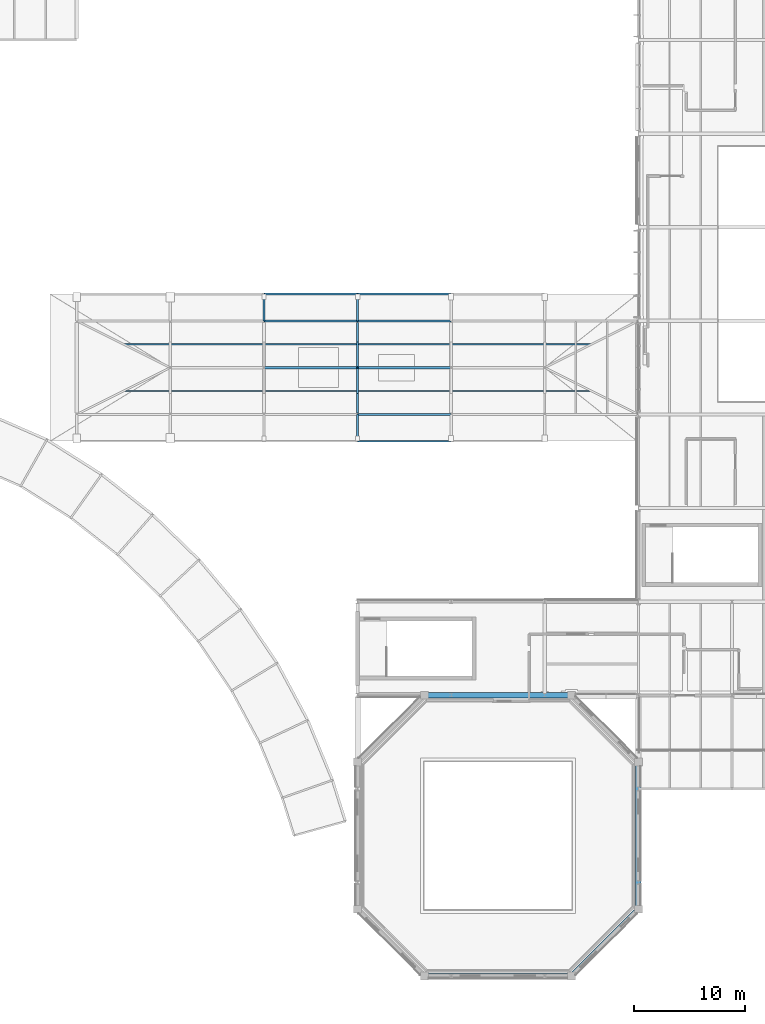
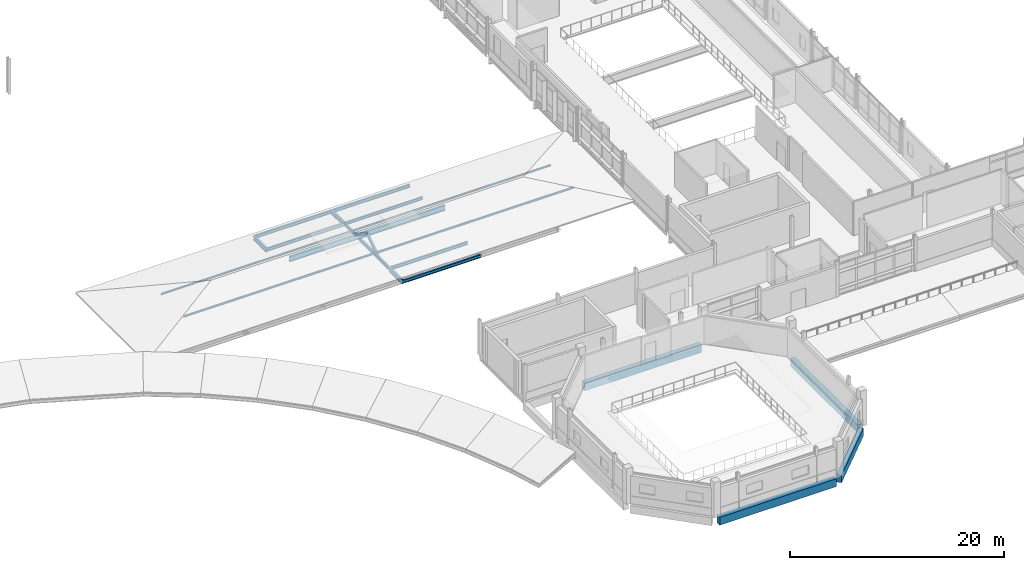
# One storey, part 15 of 151: 16 beams, 4 members.
"""IFC4 building model written with IfcOpenShell, lengths in metres."""

import ifcopenshell
import ifcopenshell.guid

model = None  # the IFC model being written
_history = None  # IfcOwnerHistory: only IFC2X3 demands one
_inside = {}  # id of a spatial element -> (the spatial element, [elements in it])
_under = {}  # id of a project, library or spatial element -> (it, [spatial elements below it])
_declared = {}  # id of a project -> (the project, [libraries it declares])
_typed = {}  # id of a type object -> (the type object, [elements of that type])
_made_of = {}  # id of a material, layer set ... -> (it, [elements and type objects made of it])


def new_model(schema):
    """Start an empty IFC model of exactly this schema.

    Asked for "IFC4X3", IfcOpenShell would pick the latest addendum, in which some entities
    have other attributes; the version numbers below select the first issue.
    IFC2X3 requires an IfcOwnerHistory on every rooted entity: one is made here for all.
    """
    global model, _history
    if schema == "IFC4X3":
        model = ifcopenshell.file(schema_version=(4, 3, 0, 0))
    else:
        model = ifcopenshell.file(schema=schema)
    _inside.clear()
    _under.clear()
    _declared.clear()
    _typed.clear()
    _made_of.clear()
    _history = None
    if model.schema == "IFC2X3":
        org = make("IfcOrganization", Name="unknown")
        user = make(
            "IfcPersonAndOrganization",
            ThePerson=make("IfcPerson", FamilyName="unknown"),
            TheOrganization=org,
        )
        app = make(
            "IfcApplication",
            ApplicationDeveloper=org,
            Version="unknown",
            ApplicationFullName="unknown",
            ApplicationIdentifier="unknown",
        )
        _history = make(
            "IfcOwnerHistory",
            OwningUser=user,
            OwningApplication=app,
            ChangeAction="ADDED",
            CreationDate=0,
        )
    return model


def make(cls, **values):
    """One entity of the class cls with the attributes given. An attribute that is None is left unset."""
    return model.create_entity(
        cls, **{name: value for name, value in values.items() if value is not None}
    )


def rooted(cls, **values):
    """An entity with a GlobalId (a new one), such as an element, a storey or a relation."""
    return make(cls, GlobalId=ifcopenshell.guid.new(), OwnerHistory=_history, **values)


def si_unit(unit_type, name, prefix=None):
    """IfcSIUnit, for example si_unit("LENGTHUNIT", "METRE", prefix="MILLI")."""
    return make("IfcSIUnit", UnitType=unit_type, Prefix=prefix, Name=name)


def assignment(units):
    """IfcUnitAssignment: the units of a project."""
    return None if units is None else make("IfcUnitAssignment", Units=units)


def point(xyz):
    """IfcCartesianPoint."""
    return None if xyz is None else make("IfcCartesianPoint", Coordinates=xyz)


def direction(xyz):
    """IfcDirection."""
    return None if xyz is None else make("IfcDirection", DirectionRatios=xyz)


def frame(location, z_axis=None, x_axis=None):
    """IfcAxis2Placement3D, a coordinate frame: its origin and axes. An axis left out is left unset."""
    return make(
        "IfcAxis2Placement3D",
        Location=point(location),
        Axis=direction(z_axis),
        RefDirection=direction(x_axis),
    )


def frame_2d(location, x_axis=None):
    """IfcAxis2Placement2D, a coordinate frame in the plane: its origin and x axis."""
    return make(
        "IfcAxis2Placement2D", Location=point(location), RefDirection=direction(x_axis)
    )


def origin():
    """The frame at (0, 0, 0) with its axes left unset."""
    return frame((0.0, 0.0, 0.0))


def origin_2d():
    """The frame at (0, 0) in the plane with its x axis left unset."""
    return frame_2d((0.0, 0.0))


def place(relative_to, where):
    """IfcLocalPlacement: puts the frame where relative to a parent placement (None: the world)."""
    return make(
        "IfcLocalPlacement", PlacementRelTo=relative_to, RelativePlacement=where
    )


def context(
    kind, dimensions, precision=None, world=None, true_north=None, identifier=None
):
    """IfcGeometricRepresentationContext, for example the 3D "Model" context."""
    return make(
        "IfcGeometricRepresentationContext",
        ContextIdentifier=identifier,
        ContextType=kind,
        CoordinateSpaceDimension=dimensions,
        Precision=precision,
        WorldCoordinateSystem=world,
        TrueNorth=true_north,
    )


def subcontext(parent, identifier, kind, view, scale=None):
    """IfcGeometricRepresentationSubContext, for example "Body" below "Model"."""
    return make(
        "IfcGeometricRepresentationSubContext",
        ContextIdentifier=identifier,
        ContextType=kind,
        ParentContext=parent,
        TargetScale=scale,
        TargetView=view,
    )


def project(units=None, contexts=None):
    """IfcProject with its units and contexts."""
    return rooted(
        "IfcProject",
        Name="project",
        RepresentationContexts=contexts,
        UnitsInContext=assignment(units),
    )


def spatial(cls, under=None, at=None, **own):
    """A site, building, storey or space (cls), placed at a placement, below another one or the project."""
    s = rooted(cls, ObjectPlacement=at, **own)
    if under is not None:
        _under.setdefault(under.id(), (under, []))[1].append(s)
    return s


def profile(cls, at=None, kind="AREA", **sizes):
    """A parametric profile (cls). Its sizes go by their IFC names, for example OverallWidth=200.0."""
    return make(cls, ProfileType=kind, Position=at, **sizes)


def rectangle(**sizes):
    """IfcRectangleProfileDef."""
    return profile("IfcRectangleProfileDef", **sizes)


def hollow_rectangle(**sizes):
    """IfcRectangleHollowProfileDef."""
    return profile("IfcRectangleHollowProfileDef", **sizes)


def i_section(**sizes):
    """IfcIShapeProfileDef."""
    return profile("IfcIShapeProfileDef", **sizes)


def extrude(swept, where, along, depth):
    """IfcExtrudedAreaSolid: the profile swept, set in the frame where, extruded along a direction by depth."""
    return make(
        "IfcExtrudedAreaSolid",
        SweptArea=swept,
        Position=where,
        ExtrudedDirection=direction(along),
        Depth=depth,
    )


def shape(context_of_items, identifier, shape_type, items):
    """IfcShapeRepresentation: the items that make up one representation, for example the "Body"."""
    return make(
        "IfcShapeRepresentation",
        ContextOfItems=context_of_items,
        RepresentationIdentifier=identifier,
        RepresentationType=shape_type,
        Items=items,
    )


def material(Name=None, Category=None):
    """IfcMaterial."""
    return make("IfcMaterial", Name=Name, Category=Category)


def material_profile(
    of_material, cross_section, Name=None, Category=None, Priority=None
):
    """IfcMaterialProfile: a cross section and its material."""
    return make(
        "IfcMaterialProfile",
        Name=Name,
        Material=of_material,
        Profile=cross_section,
        Priority=Priority,
        Category=Category,
    )


def profile_set(profiles, Name=None, composite=None):
    """IfcMaterialProfileSet."""
    return make(
        "IfcMaterialProfileSet",
        Name=Name,
        MaterialProfiles=profiles,
        CompositeProfile=composite,
    )


def made_of(thing, what):
    """Note that an element or type object is made of a material, layer set ...; save() writes the relation."""
    if what is not None:
        _made_of.setdefault(what.id(), (what, []))[1].append(thing)
    return thing


def type_object(cls, material=None, **own):
    """A type object (cls), such as IfcWallType, which elements share."""
    return made_of(rooted(cls, **own), material)


def element(
    cls,
    number,
    at=None,
    inside=None,
    cuts=None,
    type_object=None,
    material=None,
    context=None,
    identifier="Body",
    shape_type=None,
    held_by="IfcProductDefinitionShape",
    body=None,
    shapes=None,
    **own,
):
    """One element of the class cls, such as IfcWall. Its Tag is "e" and its number.

    at: its placement. inside: the storey or other place that contains it. cuts: it is an
    opening in that element (IfcRelVoidsElement). A single representation is given by context,
    identifier, shape_type and body (its items); several are given by shapes. held_by: the class
    of the entity that holds the representations. save() writes the other relations.
    """
    e = rooted(cls, Tag="e%d" % number, ObjectPlacement=at, **own)
    if body is not None:
        shapes = [shape(context, identifier, shape_type, body)]
    if shapes is not None:
        e.Representation = make(held_by, Representations=shapes)
    if inside is not None:
        _inside.setdefault(inside.id(), (inside, []))[1].append(e)
    if cuts is not None:
        rooted(
            "IfcRelVoidsElement", RelatingBuildingElement=cuts, RelatedOpeningElement=e
        )
    if type_object is not None:
        _typed.setdefault(type_object.id(), (type_object, []))[1].append(e)
    return made_of(e, material)


def aggregate(whole, parts):
    """IfcRelAggregates: a whole, such as a stair, and the parts it consists of."""
    return rooted("IfcRelAggregates", RelatingObject=whole, RelatedObjects=parts)


def save(model, path):
    """Write the relations noted so far, then the file.

    IfcRelAggregates (storeys below a building ...), IfcRelContainedInSpatialStructure (elements
    in a storey), IfcRelDefinesByType, IfcRelAssociatesMaterial and IfcRelDeclares: one each for
    every whole, place, type object, material and project.
    """
    for whole, parts in _under.values():
        aggregate(whole, parts)
    for where, things in _inside.values():
        rooted(
            "IfcRelContainedInSpatialStructure",
            RelatedElements=things,
            RelatingStructure=where,
        )
    for kind, things in _typed.values():
        rooted("IfcRelDefinesByType", RelatedObjects=things, RelatingType=kind)
    for what, things in _made_of.values():
        rooted("IfcRelAssociatesMaterial", RelatedObjects=things, RelatingMaterial=what)
    for by, libraries in _declared.values():
        rooted("IfcRelDeclares", RelatingContext=by, RelatedDefinitions=libraries)
    model.write(path)


model = new_model("IFC4")

# Units and contexts
model_context = context("Model", 3, precision=1e-05, world=origin(), true_north=direction((0.0, 1.0)))
body_context = subcontext(model_context, "Body", "Model", "MODEL_VIEW")
ifc_project = project(units=[si_unit("LENGTHUNIT", "METRE"), si_unit("AREAUNIT", "SQUARE_METRE"), si_unit("VOLUMEUNIT", "CUBIC_METRE"), si_unit("PLANEANGLEUNIT", "RADIAN"), si_unit("MASSUNIT", "GRAM", prefix="KILO")], contexts=[model_context])

# Site, building, storey
site_placement = place(None, origin())
site = spatial("IfcSite", under=ifc_project, at=site_placement, CompositionType="ELEMENT")
building_placement = place(site_placement, origin())
building = spatial("IfcBuilding", under=site, at=building_placement, Name="Mersafa Astral City Hall", CompositionType="ELEMENT")
storey_placement = place(building_placement, frame((0.0, 0.0, 9.89990234375)))
storey = spatial("IfcBuildingStorey", under=building, at=storey_placement, Name="L02", CompositionType="ELEMENT", Elevation=9.89990234375)

# Beams
ifc_material_1 = material(Name="Concrete C40/50", Category="concrete")
ifc_material_profile_1 = material_profile(ifc_material_1, rectangle(XDim=0.5, YDim=0.89990234375, at=origin_2d()), Name="RC 500x900")
ifc_profile_set_1 = profile_set([ifc_material_profile_1], Name="Concrete C40/50")
beam_type_1 = type_object("IfcBeamType", Name="STR-BM-DRUM-RC500X900", PredefinedType="BEAM", material=ifc_profile_set_1)
beam_1_placement = place(storey_placement, frame((73.510009765625, 0.0, -0.64990234375), z_axis=(1.0, 0.0, 0.0), x_axis=(0.0, 1.0, 0.0)))
element("IfcBeam", 1, at=beam_1_placement, inside=storey, type_object=beam_type_1, Name="L02 Chamber drum ring beam 1", PredefinedType="BEAM", context=body_context, shape_type="SweptSolid", body=[
    extrude(rectangle(XDim=0.5, YDim=0.89990234375, at=origin_2d()), origin(), (0.0, 0.0, 1.0), 12.580078125),
])
beam_2_placement = place(storey_placement, frame((86.619140625, 0.21923828125, -0.64990234375), z_axis=(0.707122301018, 0.707091261015, 0.0), x_axis=(-0.707091261015, 0.707122301018, 0.0)))
element("IfcBeam", 2, at=beam_2_placement, inside=storey, type_object=beam_type_1, Name="L02 Chamber drum ring beam 2", PredefinedType="BEAM", context=body_context, shape_type="SweptSolid", body=[
    extrude(rectangle(XDim=0.5, YDim=0.89990234375, at=origin_2d()), origin(), (0.0, 0.0, 1.0), 7.865234375),
])
beam_3_placement = place(storey_placement, frame((92.39990234375, 6.31005859375, -0.64990234375), z_axis=(0.0, 1.0, 0.0), x_axis=(-1.0, 0.0, 0.0)))
element("IfcBeam", 3, at=beam_3_placement, inside=storey, type_object=beam_type_1, Name="L02 Chamber drum ring beam 3", PredefinedType="BEAM", context=body_context, shape_type="SweptSolid", body=[
    extrude(rectangle(XDim=0.5, YDim=0.89990234375, at=origin_2d()), origin(), (0.0, 0.0, 1.0), 12.579833984375),
])
beam_4_placement = place(storey_placement, frame((86.090087890625, 25.199951171875, -0.64990234375), z_axis=(-1.0, 0.0, 0.0), x_axis=(0.0, -1.0, 0.0)))
element("IfcBeam", 4, at=beam_4_placement, inside=storey, type_object=beam_type_1, Name="L02 Chamber drum ring beam 5", PredefinedType="BEAM", context=body_context, shape_type="SweptSolid", body=[
    extrude(rectangle(XDim=0.5, YDim=0.89990234375, at=origin_2d()), origin(), (0.0, 0.0, 1.0), 12.580078125),
])
ifc_material_2 = material(Name="Steel S355", Category="steel")
ifc_material_profile_2 = material_profile(ifc_material_2, i_section(OverallWidth=0.199951171875, OverallDepth=0.5, WebThickness=0.01025390625, FlangeThickness=0.01611328125, FilletRadius=0.02099609375, at=origin_2d()), Name="IPE 500")
ifc_profile_set_2 = profile_set([ifc_material_profile_2], Name="Steel S355")
beam_type_2 = type_object("IfcBeamType", Name="STR-BM-IPE500", PredefinedType="BEAM", material=ifc_profile_set_2)
for number, where, z_axis, x_axis, name in (
    (5, (58.800048828125, 58.800048828125, -0.409912109375), (0.0, 1.0, 0.0), (-1.0, 0.0, 0.0), "L02 Cantilevered eave beam ROOF-T3-V4S N-7"),
    (6, (67.199951171875, 50.39990234375, -0.409912109375), (0.0, -1.0, 0.0), (1.0, 0.0, 0.0), "L02 Cantilevered eave beam ROOF-T3-V4S S-8"),
    (7, (67.199951171875, 58.800048828125, -0.409912109375), (0.0, 1.0, 0.0), (-1.0, 0.0, 0.0), "L02 Cantilevered eave beam ROOF-T3-V4S N-8"),
):
    element("IfcBeam", number, at=place(storey_placement, frame(where, z_axis=z_axis, x_axis=x_axis)), inside=storey, type_object=beam_type_2, Name=name, PredefinedType="BEAM", context=body_context, shape_type="SweptSolid", body=[
        extrude(i_section(OverallWidth=0.199951171875, OverallDepth=0.5, WebThickness=0.01025390625, FlangeThickness=0.01611328125, FilletRadius=0.02099609375, at=origin_2d()), origin(), (0.0, 0.0, 1.0), 2.39990234375),
    ])
ifc_material_profile_3 = material_profile(ifc_material_2, i_section(OverallWidth=0.219970703125, OverallDepth=0.60009765625, WebThickness=0.011962890625, FlangeThickness=0.01904296875, FilletRadius=0.02392578125, at=origin_2d()), Name="IPE 600")
ifc_profile_set_3 = profile_set([ifc_material_profile_3], Name="Steel S355")
beam_type_3 = type_object("IfcBeamType", Name="STR-BM-IPE600", PredefinedType="BEAM", material=ifc_profile_set_3)
beam_5_placement = place(storey_placement, frame((58.800048828125, 54.60009765625, 1.114501953125), z_axis=(1.0, 0.0, 0.0), x_axis=(0.0, 1.0, 0.0)))
element("IfcBeam", 8, at=beam_5_placement, inside=storey, type_object=beam_type_3, Name="L02 Hipped roof ridge beam ROOF-T3-V4S-2", PredefinedType="BEAM", context=body_context, shape_type="SweptSolid", body=[
    extrude(i_section(OverallWidth=0.219970703125, OverallDepth=0.60009765625, WebThickness=0.011962890625, FlangeThickness=0.01904296875, FilletRadius=0.02392578125, at=origin_2d()), origin(), (0.0, 0.0, 1.0), 8.39990234375),
])
beam_6_placement = place(storey_placement, frame((67.199951171875, 54.60009765625, 1.114501953125), z_axis=(1.0, 0.0, 0.0), x_axis=(0.0, 1.0, 0.0)))
element("IfcBeam", 9, at=beam_6_placement, inside=storey, type_object=beam_type_3, Name="L02 Hipped roof ridge beam ROOF-T3-V4S-3", PredefinedType="BEAM", context=body_context, shape_type="SweptSolid", body=[
    extrude(i_section(OverallWidth=0.219970703125, OverallDepth=0.60009765625, WebThickness=0.011962890625, FlangeThickness=0.01904296875, FilletRadius=0.02392578125, at=origin_2d()), origin(), (0.0, 0.0, 1.0), 8.400146484375),
])
ifc_material_profile_4 = material_profile(ifc_material_2, i_section(OverallWidth=0.159912109375, OverallDepth=0.330078125, WebThickness=0.007568359375, FlangeThickness=0.011474609375, FilletRadius=0.01806640625, at=origin_2d()), Name="IPE 330")
ifc_profile_set_4 = profile_set([ifc_material_profile_4], Name="Steel S355")
beam_type_4 = type_object("IfcBeamType", Name="STR-BM-SPANDREL-IPE330", PredefinedType="SPANDREL", material=ifc_profile_set_4)
beam_7_placement = place(storey_placement, frame((67.202880859375, 58.800048828125, -0.364990234375), z_axis=(1.0, 0.0, 0.0), x_axis=(0.0, 1.0, 0.0)))
element("IfcBeam", 10, at=beam_7_placement, inside=storey, type_object=beam_type_4, Name="L02 Primary girder X 8-7", PredefinedType="SPANDREL", context=body_context, shape_type="SweptSolid", body=[
    extrude(i_section(OverallWidth=0.159912109375, OverallDepth=0.330078125, WebThickness=0.007568359375, FlangeThickness=0.011474609375, FilletRadius=0.01806640625, at=origin_2d()), origin(), (0.0, 0.0, 1.0), 8.39404296875),
])
ifc_material_profile_5 = material_profile(ifc_material_2, i_section(OverallWidth=0.169921875, OverallDepth=0.360107421875, WebThickness=0.008056640625, FlangeThickness=0.0126953125, FilletRadius=0.01806640625, at=origin_2d()), Name="IPE 360")
ifc_profile_set_5 = profile_set([ifc_material_profile_5], Name="Steel S355")
beam_type_5 = type_object("IfcBeamType", Name="STR-BM-SPANDREL-IPE360", PredefinedType="SPANDREL", material=ifc_profile_set_5)
for number, where, z_axis, x_axis, name in (
    (11, (67.202880859375, 50.39990234375, -0.3798828125), (1.0, 0.0, 0.0), (0.0, 1.0, 0.0), "L02 Primary girder X 8-6"),
    (12, (58.802978515625, 58.800048828125, -0.3798828125), (1.0, 0.0, 0.0), (0.0, 1.0, 0.0), "L02 Primary girder X 7-7"),
):
    element("IfcBeam", number, at=place(storey_placement, frame(where, z_axis=z_axis, x_axis=x_axis)), inside=storey, type_object=beam_type_5, Name=name, PredefinedType="SPANDREL", context=body_context, shape_type="SweptSolid", body=[
        extrude(i_section(OverallWidth=0.169921875, OverallDepth=0.360107421875, WebThickness=0.008056640625, FlangeThickness=0.0126953125, FilletRadius=0.01806640625, at=origin_2d()), origin(), (0.0, 0.0, 1.0), 8.39404296875),
    ])
beam_8_placement = place(storey_placement, frame((67.199951171875, 50.544921875, -0.3798828125), z_axis=(0.0, 1.0, 0.0), x_axis=(-1.0, 0.0, 0.0)))
element("IfcBeam", 13, at=beam_8_placement, inside=storey, type_object=beam_type_5, Name="L02 Primary girder Y 8-6", PredefinedType="SPANDREL", context=body_context, shape_type="SweptSolid", body=[
    extrude(i_section(OverallWidth=0.169921875, OverallDepth=0.360107421875, WebThickness=0.008056640625, FlangeThickness=0.0126953125, FilletRadius=0.01806640625, at=origin_2d()), origin(), (0.0, 0.0, 1.0), 8.110107421875),
])
beam_9_placement = place(storey_placement, frame((67.199951171875, 48.0, -0.409912109375), z_axis=(1.0, 0.0, 0.0), x_axis=(0.0, 1.0, 0.0)))
element("IfcBeam", 14, at=beam_9_placement, inside=storey, type_object=beam_type_5, Name="L02 Hipped roof eave fascia beam ROOF-T3-V4S S-4", PredefinedType="SPANDREL", context=body_context, shape_type="SweptSolid", body=[
    extrude(i_section(OverallWidth=0.169921875, OverallDepth=0.360107421875, WebThickness=0.008056640625, FlangeThickness=0.0126953125, FilletRadius=0.01806640625, at=origin_2d()), origin(), (0.0, 0.0, 1.0), 8.400146484375),
])
beam_10_placement = place(storey_placement, frame((58.800048828125, 61.199951171875, -0.409912109375), z_axis=(1.0, 0.0, 0.0), x_axis=(0.0, 1.0, 0.0)))
element("IfcBeam", 15, at=beam_10_placement, inside=storey, type_object=beam_type_5, Name="L02 Hipped roof eave fascia beam ROOF-T3-V4S N-3", PredefinedType="SPANDREL", context=body_context, shape_type="SweptSolid", body=[
    extrude(i_section(OverallWidth=0.169921875, OverallDepth=0.360107421875, WebThickness=0.008056640625, FlangeThickness=0.0126953125, FilletRadius=0.01806640625, at=origin_2d()), origin(), (0.0, 0.0, 1.0), 8.39990234375),
])
beam_11_placement = place(storey_placement, frame((67.199951171875, 61.199951171875, -0.409912109375), z_axis=(1.0, 0.0, 0.0), x_axis=(0.0, 1.0, 0.0)))
element("IfcBeam", 16, at=beam_11_placement, inside=storey, type_object=beam_type_5, Name="L02 Hipped roof eave fascia beam ROOF-T3-V4S N-4", PredefinedType="SPANDREL", context=body_context, shape_type="SweptSolid", body=[
    extrude(i_section(OverallWidth=0.169921875, OverallDepth=0.360107421875, WebThickness=0.008056640625, FlangeThickness=0.0126953125, FilletRadius=0.01806640625, at=origin_2d()), origin(), (0.0, 0.0, 1.0), 8.400146484375),
])

# Members
ifc_material_profile_6 = material_profile(ifc_material_2, i_section(OverallWidth=0.10009765625, OverallDepth=0.199951171875, WebThickness=0.005615234375, FlangeThickness=0.008544921875, FilletRadius=0.011962890625, at=origin_2d()), Name="IPE 200")
ifc_profile_set_6 = profile_set([ifc_material_profile_6], Name="Steel S355")
member_type_1 = type_object("IfcMemberType", Name="STR-MBR-PURLIN-IPE200", PredefinedType="PURLIN", material=ifc_profile_set_6)
member_1_placement = place(storey_placement, frame((46.199951171875, 56.699951171875, 0.232421875), z_axis=(1.0, 0.0, 0.0), x_axis=(0.0, 1.0, 0.0)))
element("IfcMember", 17, at=member_1_placement, inside=storey, type_object=member_type_1, Name="L02 Terracotta roof purlin ROOF-T3-V4S-N", PredefinedType="PURLIN", context=body_context, shape_type="SweptSolid", body=[
    extrude(i_section(OverallWidth=0.10009765625, OverallDepth=0.199951171875, WebThickness=0.005615234375, FlangeThickness=0.008544921875, FilletRadius=0.011962890625, at=origin_2d()), origin(), (0.0, 0.0, 1.0), 42.0),
])
ifc_material_profile_7 = material_profile(ifc_material_2, i_section(OverallWidth=0.110107421875, OverallDepth=0.219970703125, WebThickness=0.005859375, FlangeThickness=0.00927734375, FilletRadius=0.011962890625, at=origin_2d()), Name="IPE 220")
ifc_profile_set_7 = profile_set([ifc_material_profile_7], Name="Steel S355")
member_type_2 = type_object("IfcMemberType", Name="STR-MBR-PURLIN-IPE220", PredefinedType="PURLIN", material=ifc_profile_set_7)
member_2_placement = place(storey_placement, frame((46.199951171875, 52.5, 0.232421875), z_axis=(1.0, 0.0, 0.0), x_axis=(0.0, 1.0, 0.0)))
element("IfcMember", 18, at=member_2_placement, inside=storey, type_object=member_type_2, Name="L02 Terracotta roof purlin ROOF-T3-V4S-S", PredefinedType="PURLIN", context=body_context, shape_type="SweptSolid", body=[
    extrude(i_section(OverallWidth=0.110107421875, OverallDepth=0.219970703125, WebThickness=0.005859375, FlangeThickness=0.00927734375, FilletRadius=0.011962890625, at=origin_2d()), origin(), (0.0, 0.0, 1.0), 42.0),
])
ifc_material_profile_8 = material_profile(ifc_material_2, hollow_rectangle(XDim=0.199951171875, YDim=0.300048828125, WallThickness=0.012451171875, at=origin_2d()), Name="RHS 200x300x12.5")
ifc_profile_set_8 = profile_set([ifc_material_profile_8], Name="Steel S355")
member_type_3 = type_object("IfcMemberType", Name="STR-MBR-STRUT-RHS200X300", PredefinedType="BRACE", material=ifc_profile_set_8)
member_3_placement = place(storey_placement, frame((67.199951171875, 52.36572265625, -0.419921875), z_axis=(0.0, 0.824336158678, 0.566100607221), x_axis=(-1.0, 0.0, 0.0)))
element("IfcMember", 19, at=member_3_placement, inside=storey, type_object=member_type_3, Name="L02 Roof ridge raked A-strut ROOF-T3-V4S-3A", PredefinedType="BRACE", context=body_context, shape_type="SweptSolid", body=[
    extrude(hollow_rectangle(XDim=0.199951171875, YDim=0.300048828125, WallThickness=0.012451171875, at=origin_2d()), origin(), (0.0, 0.0, 1.0), 2.71044921875),
])
member_4_placement = place(storey_placement, frame((67.199951171875, 56.834228515625, -0.419921875), z_axis=(0.0, -0.824307290196, 0.566142642212), x_axis=(1.0, 0.0, 0.0)))
element("IfcMember", 20, at=member_4_placement, inside=storey, type_object=member_type_3, Name="L02 Roof ridge raked A-strut ROOF-T3-V4S-3B", PredefinedType="BRACE", context=body_context, shape_type="SweptSolid", body=[
    extrude(hollow_rectangle(XDim=0.199951171875, YDim=0.300048828125, WallThickness=0.012451171875, at=origin_2d()), origin(), (0.0, 0.0, 1.0), 2.710205078125),
])

save(model, "model.ifc")
